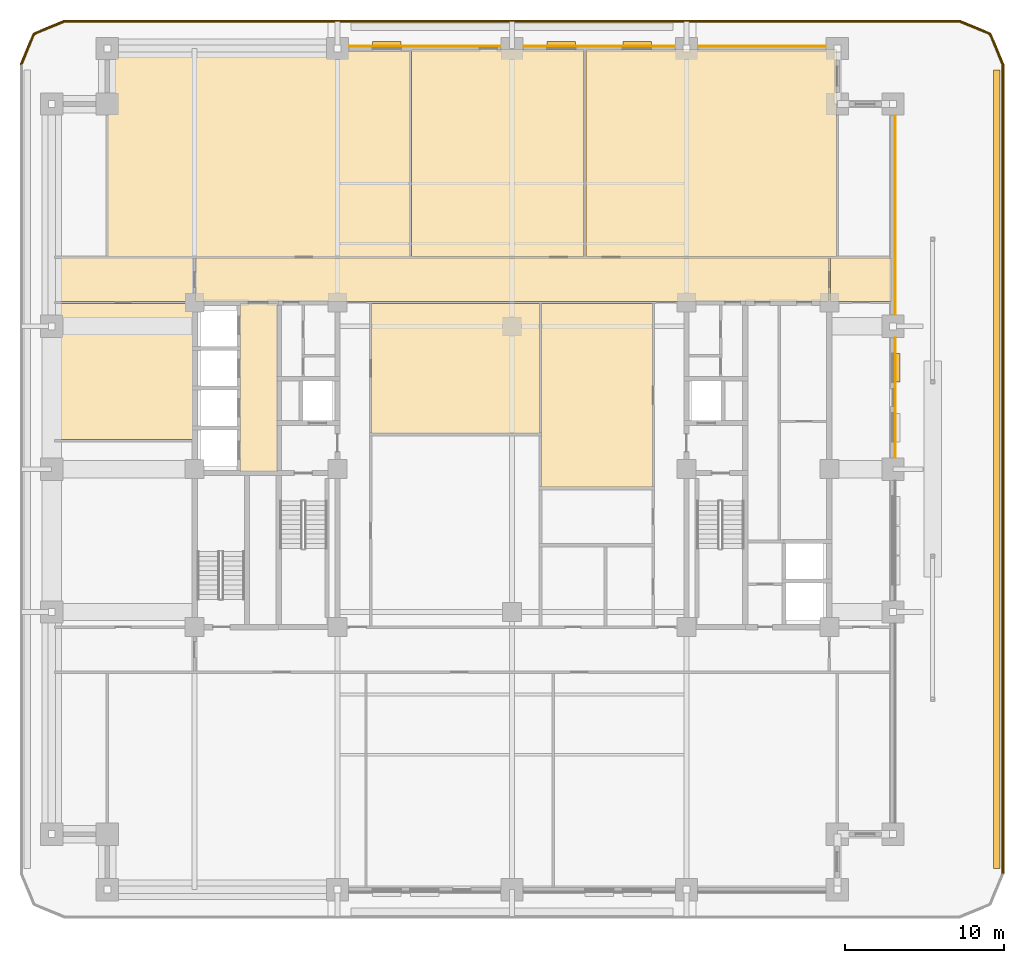
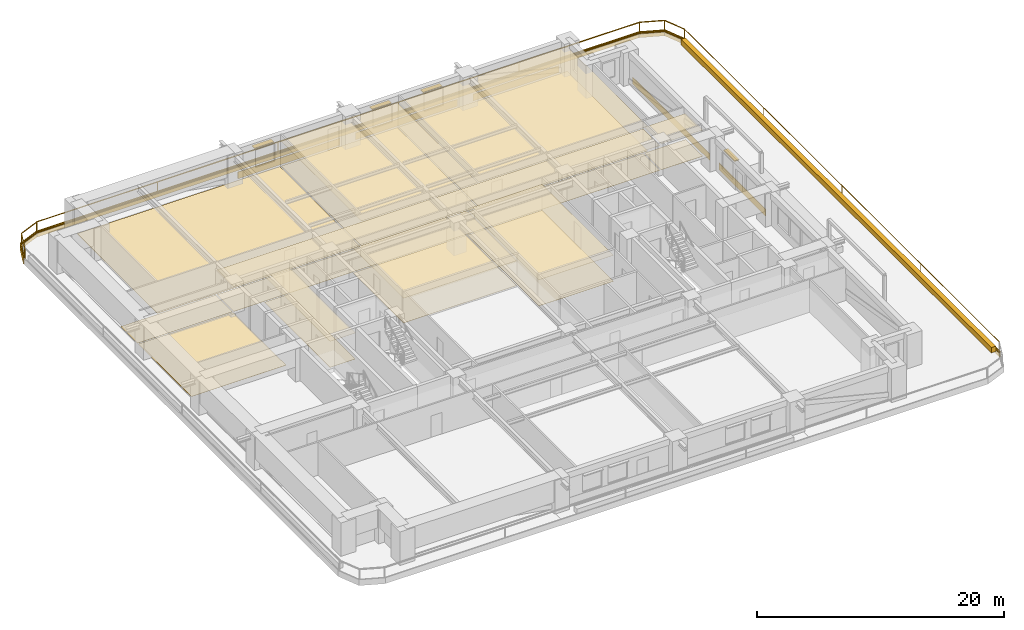
# One storey, part 18 of 18: 29 coverings, 4 shading devices, 2 railings.
"""IFC4 building model written with IfcOpenShell, lengths in metres."""

from ifc_helpers import new_model, si_unit, direction, frame, frame_2d, origin, origin_2d, place, context, subcontext, project, spatial, polyline, rectangle, outline, extrude, material, layer, layer_set, type_object, element, save


model = new_model("IFC4")

# Units and contexts
model_context = context("Model", 3, precision=1e-05, world=origin(), true_north=direction((0.0, 1.0)))
body_context = subcontext(model_context, "Body", "Model", "MODEL_VIEW")
ifc_project = project(units=[si_unit("LENGTHUNIT", "METRE"), si_unit("AREAUNIT", "SQUARE_METRE"), si_unit("VOLUMEUNIT", "CUBIC_METRE"), si_unit("PLANEANGLEUNIT", "RADIAN"), si_unit("MASSUNIT", "GRAM", prefix="KILO")], contexts=[model_context])

# Site, building, storey
site_placement = place(None, origin())
site = spatial("IfcSite", under=ifc_project, at=site_placement, CompositionType="ELEMENT")
building_placement = place(site_placement, origin())
building = spatial("IfcBuilding", under=site, at=building_placement, Name="Zulmaris Gate Convention Tower", CompositionType="ELEMENT")
storey_placement = place(building_placement, frame((0.0, 0.0, 57.18994140625)))
storey = spatial("IfcBuildingStorey", under=building, at=storey_placement, Name="L13", CompositionType="ELEMENT", Elevation=57.18994140625)

# Coverings
ifc_material_1 = material(Name="Precast concrete C40/50", Category="concrete")
ifc_layer_1 = layer(ifc_material_1, 0.0400390625, Name="Precast concrete C40/50")
ifc_layer_set_1 = layer_set([ifc_layer_1], Name="Precast concrete C40/50")
covering_type_1 = type_object("IfcCoveringType", Name="CLAD-SPANDREL-PRECAST", PredefinedType="CLADDING", material=ifc_layer_set_1)
for number, where, z_axis, x_axis, name in (
    (1, (-0.72998046875, 26.64990234375, 0.0), (0.0, 0.0, 1.0), (-1.0, 0.0, 0.0), "CLD-L13-N-1_0"),
    (2, (10.27001953125, 26.64990234375, 0.0), (0.0, 0.0, 1.0), (-1.0, 0.0, 0.0), "CLD-L13-N-2_0"),
):
    element("IfcCovering", number, at=place(storey_placement, frame(where, z_axis=z_axis, x_axis=x_axis)), inside=storey, type_object=covering_type_1, Name=name, PredefinedType="CLADDING", context=body_context, shape_type="SweptSolid", body=[
        extrude(rectangle(XDim=9.5400390625, YDim=0.0400390625, at=frame_2d((4.77001953125, 0.0))), origin(), (0.0, 0.0, 1.0), 0.679931640625),
    ])
covering_1_placement = place(storey_placement, frame((19.77001953125, 26.64990234375, 0.0), z_axis=(0.0, 0.0, 1.0), x_axis=(-1.0, 0.0, 0.0)))
element("IfcCovering", 3, at=covering_1_placement, inside=storey, type_object=covering_type_1, Name="CLD-L13-N-3_0", PredefinedType="CLADDING", context=body_context, shape_type="SweptSolid", body=[
    extrude(rectangle(XDim=8.0400390625, YDim=0.0400390625, at=frame_2d((4.02001953125, 0.0))), origin(), (0.0, 0.0, 1.0), 0.679931640625),
])
covering_2_placement = place(storey_placement, frame((24.14990234375, 0.72998046875, 0.0), z_axis=(0.0, 0.0, 1.0), x_axis=(0.0, 1.0, 0.0)))
element("IfcCovering", 4, at=covering_2_placement, inside=storey, type_object=covering_type_1, Name="CLD-L13-E-2_0", PredefinedType="CLADDING", context=body_context, shape_type="SweptSolid", body=[
    extrude(rectangle(XDim=7.5400390625, YDim=0.0400390625, at=frame_2d((3.77001953125, 0.0))), origin(), (0.0, 0.0, 1.0), 0.679931640625),
])
covering_3_placement = place(storey_placement, frame((24.14990234375, 9.72998046875, 0.0), z_axis=(0.0, 0.0, 1.0), x_axis=(0.0, 1.0, 0.0)))
element("IfcCovering", 5, at=covering_3_placement, inside=storey, type_object=covering_type_1, Name="CLD-L13-E-3_0", PredefinedType="CLADDING", context=body_context, shape_type="SweptSolid", body=[
    extrude(rectangle(XDim=12.5400390625, YDim=0.0400390625, at=frame_2d((6.27001953125, 0.0))), origin(), (0.0, 0.0, 1.0), 0.679931640625),
])
ifc_material_2 = material(Name="White Glazed Architectural Precast Concrete C40/50", Category="concrete")
ifc_layer_2 = layer(ifc_material_2, 0.080078125, Name="White Glazed Architectural Precast Concrete C40/50")
ifc_layer_set_2 = layer_set([ifc_layer_2], Name="White Glazed Architectural Precast Concrete C40/50")
covering_type_2 = type_object("IfcCoveringType", Name="CLAD-TRAY-FASCIA", PredefinedType="CLADDING", material=ifc_layer_set_2)
covering_4_placement = place(storey_placement, frame((30.9599609375, -25.5, -0.465087890625), z_axis=(0.0, 0.0, 1.0), x_axis=(0.0, 1.0, 0.0)))
element("IfcCovering", 6, at=covering_4_placement, inside=storey, type_object=covering_type_2, Name="FSC-L13-TR-05", PredefinedType="CLADDING", context=body_context, shape_type="SweptSolid", body=[
    extrude(rectangle(XDim=51.0, YDim=0.080078125, at=frame_2d((25.5, 0.0))), origin(), (0.0, 0.0, 1.0), 0.5849609375),
])
covering_5_placement = place(storey_placement, frame((30.962890625, 25.484619140625, -0.465087890625), z_axis=(0.0, 0.0, 1.0), x_axis=(-0.382656984709, 0.923890487046, 0.0)))
element("IfcCovering", 7, at=covering_5_placement, inside=storey, type_object=covering_type_2, Name="FSC-L13-TR-06", PredefinedType="CLADDING", context=body_context, shape_type="SweptSolid", body=[
    extrude(rectangle(XDim=2.14306640625, YDim=0.080078125, at=frame_2d((1.071533203125, 0.0))), origin(), (0.0, 0.0, 1.0), 0.5849609375),
])
covering_6_placement = place(storey_placement, frame((30.16455078125, 27.44287109375, -0.465087890625), z_axis=(0.0, 0.0, 1.0), x_axis=(-0.923873803533, 0.382697263049, 0.0)))
element("IfcCovering", 8, at=covering_6_placement, inside=storey, type_object=covering_type_2, Name="FSC-L13-TR-07", PredefinedType="CLADDING", context=body_context, shape_type="SweptSolid", body=[
    extrude(rectangle(XDim=2.142822265625, YDim=0.080078125, at=frame_2d((1.0712890625, 0.0))), origin(), (0.0, 0.0, 1.0), 0.5849609375),
])
covering_7_placement = place(storey_placement, frame((28.199951171875, 28.260009765625, -0.465087890625), z_axis=(0.0, 0.0, 1.0), x_axis=(-1.0, 0.0, 0.0)))
element("IfcCovering", 9, at=covering_7_placement, inside=storey, type_object=covering_type_2, Name="FSC-L13-TR-08", PredefinedType="CLADDING", context=body_context, shape_type="SweptSolid", body=[
    extrude(rectangle(XDim=56.39990234375, YDim=0.080078125, at=frame_2d((28.199951171875, 0.0))), origin(), (0.0, 0.0, 1.0), 0.5849609375),
])
covering_8_placement = place(storey_placement, frame((-28.184814453125, 28.262939453125, -0.465087890625), z_axis=(0.0, 0.0, 1.0), x_axis=(-0.923873803533, -0.382697263049, 0.0)))
element("IfcCovering", 10, at=covering_8_placement, inside=storey, type_object=covering_type_2, Name="FSC-L13-TR-09", PredefinedType="CLADDING", context=body_context, shape_type="SweptSolid", body=[
    extrude(rectangle(XDim=2.142822265625, YDim=0.080078125, at=frame_2d((1.0712890625, 0.0))), origin(), (0.0, 0.0, 1.0), 0.5849609375),
])
covering_9_placement = place(storey_placement, frame((-30.142822265625, 27.464599609375, -0.465087890625), z_axis=(0.0, 0.0, 1.0), x_axis=(-0.382656984709, -0.923890487046, 0.0)))
element("IfcCovering", 11, at=covering_9_placement, inside=storey, type_object=covering_type_2, Name="FSC-L13-TR-10", PredefinedType="CLADDING", context=body_context, shape_type="SweptSolid", body=[
    extrude(rectangle(XDim=2.14306640625, YDim=0.080078125, at=frame_2d((1.071533203125, 0.0))), origin(), (0.0, 0.0, 1.0), 0.5849609375),
])
ifc_material_3 = material(Name="Mineral Fibre Acoustic Ceiling Tile")
ifc_layer_3 = layer(ifc_material_3, 0.02001953125, Name="Mineral Fibre Acoustic Ceiling Tile")
ifc_layer_set_3 = layer_set([ifc_layer_3], Name="Mineral Fibre Acoustic Ceiling Tile")
covering_type_3 = type_object("IfcCoveringType", Name="CLG-ACOUSTIC-600", PredefinedType="CEILING", material=ifc_layer_set_3)
covering_10_placement = place(storey_placement, frame((0.0, 0.0, 2.578125)))
element("IfcCovering", 12, at=covering_10_placement, inside=storey, type_object=covering_type_3, Name="CLG-L13-R19", PredefinedType="CEILING", context=body_context, shape_type="SweptSolid", body=[
    extrude(outline(polyline([(-17.139892578125, -0.18994140625), (-14.760009765625, -0.18994140625), (-14.760009765625, 10.43994140625), (-17.139892578125, 10.43994140625), (-17.139892578125, -0.18994140625)])), origin(), (0.0, 0.0, 1.0), 0.02001953125),
])
covering_11_placement = place(storey_placement, frame((0.0, 0.0, 2.453125)))
element("IfcCovering", 13, at=covering_11_placement, inside=storey, type_object=covering_type_3, Name="CLG-L13-R34", PredefinedType="CEILING", context=body_context, shape_type="SweptSolid", body=[
    extrude(outline(polyline([(-19.93994140625, 10.56005859375), (19.93994140625, 10.56005859375), (19.93994140625, 13.2900390625), (-19.93994140625, 13.2900390625), (-19.93994140625, 10.56005859375)])), origin(), (0.0, 0.0, 1.0), 0.02001953125),
])
covering_12_placement = place(storey_placement, frame((0.0, 0.0, 2.453125)))
element("IfcCovering", 14, at=covering_12_placement, inside=storey, type_object=covering_type_3, Name="CLG-L13-R39", PredefinedType="CEILING", context=body_context, shape_type="SweptSolid", body=[
    extrude(outline(polyline([(-6.340087890625, 13.409912109375), (4.5400390625, 13.409912109375), (4.5400390625, 26.43994140625), (-6.340087890625, 26.43994140625), (-6.340087890625, 13.409912109375)])), origin(), (0.0, 0.0, 1.0), 0.02001953125),
])
covering_13_placement = place(storey_placement, frame((0.0, 0.0, 2.453125)))
element("IfcCovering", 15, at=covering_13_placement, inside=storey, type_object=covering_type_3, Name="CLG-L13-R40", PredefinedType="CEILING", context=body_context, shape_type="SweptSolid", body=[
    extrude(outline(polyline([(4.659912109375, 13.409912109375), (20.43994140625, 13.409912109375), (20.43994140625, 26.43994140625), (4.659912109375, 26.43994140625), (4.659912109375, 13.409912109375)])), origin(), (0.0, 0.0, 1.0), 0.02001953125),
])
covering_14_placement = place(storey_placement, frame((0.0, 0.0, 2.453125)))
element("IfcCovering", 16, at=covering_14_placement, inside=storey, type_object=covering_type_3, Name="CLG-L13-R44", PredefinedType="CEILING", context=body_context, shape_type="SweptSolid", body=[
    extrude(outline(polyline([(-8.840087890625, 2.260009765625), (1.739990234375, 2.260009765625), (1.739990234375, 10.43994140625), (-8.840087890625, 10.43994140625), (-8.840087890625, 2.260009765625)])), origin(), (0.0, 0.0, 1.0), 0.02001953125),
])
covering_15_placement = place(storey_placement, frame((0.0, 0.0, 2.578125)))
element("IfcCovering", 17, at=covering_15_placement, inside=storey, type_object=covering_type_3, Name="CLG-L13-R46", PredefinedType="CEILING", context=body_context, shape_type="SweptSolid", body=[
    extrude(outline(polyline([(1.860107421875, -1.139892578125), (8.840087890625, -1.139892578125), (8.840087890625, 10.43994140625), (1.860107421875, 10.43994140625), (1.860107421875, -1.139892578125)])), origin(), (0.0, 0.0, 1.0), 0.02001953125),
])
covering_16_placement = place(storey_placement, frame((0.0, 0.0, 2.578125)))
element("IfcCovering", 18, at=covering_16_placement, inside=storey, type_object=covering_type_3, Name="CLG-L13-R54", PredefinedType="CEILING", context=body_context, shape_type="SweptSolid", body=[
    extrude(outline(polyline([(20.06005859375, 10.56005859375), (23.93994140625, 10.56005859375), (23.93994140625, 13.2900390625), (20.06005859375, 13.2900390625), (20.06005859375, 10.56005859375)])), origin(), (0.0, 0.0, 1.0), 0.02001953125),
])
ifc_material_4 = material(Name="Woven Acoustic Wool Carpet Tile")
ifc_layer_4 = layer(ifc_material_4, 0.02001953125, Name="Woven Acoustic Wool Carpet Tile")
ifc_layer_set_4 = layer_set([ifc_layer_4], Name="Woven Acoustic Wool Carpet Tile")
covering_type_4 = type_object("IfcCoveringType", Name="FLR-CARPET-12", PredefinedType="FLOORING", material=ifc_layer_set_4)
covering_17_placement = place(storey_placement, origin())
element("IfcCovering", 19, at=covering_17_placement, inside=storey, type_object=covering_type_4, Name="FLR-L13-R19", PredefinedType="FLOORING", context=body_context, shape_type="SweptSolid", body=[
    extrude(outline(polyline([(-17.139892578125, -0.18994140625), (-14.760009765625, -0.18994140625), (-14.760009765625, 10.43994140625), (-17.139892578125, 10.43994140625), (-17.139892578125, -0.18994140625)])), origin(), (0.0, 0.0, 1.0), 0.02001953125),
])
covering_18_placement = place(storey_placement, origin())
element("IfcCovering", 20, at=covering_18_placement, inside=storey, type_object=covering_type_4, Name="FLR-L13-R34", PredefinedType="FLOORING", context=body_context, shape_type="SweptSolid", body=[
    extrude(outline(polyline([(-19.93994140625, 10.56005859375), (19.93994140625, 10.56005859375), (19.93994140625, 13.2900390625), (-19.93994140625, 13.2900390625), (-19.93994140625, 10.56005859375)])), origin(), (0.0, 0.0, 1.0), 0.02001953125),
])
covering_19_placement = place(storey_placement, origin())
element("IfcCovering", 21, at=covering_19_placement, inside=storey, type_object=covering_type_4, Name="FLR-L13-R38", PredefinedType="FLOORING", context=body_context, shape_type="SweptSolid", body=[
    extrude(outline(polyline([(-25.43994140625, 13.409912109375), (-6.4599609375, 13.409912109375), (-6.4599609375, 26.43994140625), (-25.43994140625, 26.43994140625), (-25.43994140625, 13.409912109375)])), origin(), (0.0, 0.0, 1.0), 0.02001953125),
])
covering_20_placement = place(storey_placement, origin())
element("IfcCovering", 22, at=covering_20_placement, inside=storey, type_object=covering_type_4, Name="FLR-L13-R39", PredefinedType="FLOORING", context=body_context, shape_type="SweptSolid", body=[
    extrude(outline(polyline([(-6.340087890625, 13.409912109375), (4.5400390625, 13.409912109375), (4.5400390625, 26.43994140625), (-6.340087890625, 26.43994140625), (-6.340087890625, 13.409912109375)])), origin(), (0.0, 0.0, 1.0), 0.02001953125),
])
covering_21_placement = place(storey_placement, origin())
element("IfcCovering", 23, at=covering_21_placement, inside=storey, type_object=covering_type_4, Name="FLR-L13-R40", PredefinedType="FLOORING", context=body_context, shape_type="SweptSolid", body=[
    extrude(outline(polyline([(4.659912109375, 13.409912109375), (20.43994140625, 13.409912109375), (20.43994140625, 26.43994140625), (4.659912109375, 26.43994140625), (4.659912109375, 13.409912109375)])), origin(), (0.0, 0.0, 1.0), 0.02001953125),
])
covering_22_placement = place(storey_placement, origin())
element("IfcCovering", 24, at=covering_22_placement, inside=storey, type_object=covering_type_4, Name="FLR-L13-R46", PredefinedType="FLOORING", context=body_context, shape_type="SweptSolid", body=[
    extrude(outline(polyline([(1.860107421875, -1.139892578125), (8.840087890625, -1.139892578125), (8.840087890625, 10.43994140625), (1.860107421875, 10.43994140625), (1.860107421875, -1.139892578125)])), origin(), (0.0, 0.0, 1.0), 0.02001953125),
])
covering_23_placement = place(storey_placement, origin())
element("IfcCovering", 25, at=covering_23_placement, inside=storey, type_object=covering_type_4, Name="FLR-L13-R50", PredefinedType="FLOORING", context=body_context, shape_type="SweptSolid", body=[
    extrude(outline(polyline([(-28.93994140625, 10.56005859375), (-20.06005859375, 10.56005859375), (-20.06005859375, 13.2900390625), (-28.93994140625, 13.2900390625), (-28.93994140625, 10.56005859375)])), origin(), (0.0, 0.0, 1.0), 0.02001953125),
])
covering_24_placement = place(storey_placement, origin())
element("IfcCovering", 26, at=covering_24_placement, inside=storey, type_object=covering_type_4, Name="FLR-L13-R52", PredefinedType="FLOORING", context=body_context, shape_type="SweptSolid", body=[
    extrude(outline(polyline([(-28.93994140625, 1.860107421875), (-20.06005859375, 1.860107421875), (-20.06005859375, 10.43994140625), (-28.93994140625, 10.43994140625), (-28.93994140625, 1.860107421875)])), origin(), (0.0, 0.0, 1.0), 0.02001953125),
])
covering_25_placement = place(storey_placement, origin())
element("IfcCovering", 27, at=covering_25_placement, inside=storey, type_object=covering_type_4, Name="FLR-L13-R54", PredefinedType="FLOORING", context=body_context, shape_type="SweptSolid", body=[
    extrude(outline(polyline([(20.06005859375, 10.56005859375), (23.93994140625, 10.56005859375), (23.93994140625, 13.2900390625), (20.06005859375, 13.2900390625), (20.06005859375, 10.56005859375)])), origin(), (0.0, 0.0, 1.0), 0.02001953125),
])
ifc_material_5 = material(Name="Engineered Teak Parquet Flooring")
ifc_layer_5 = layer(ifc_material_5, 0.02001953125, Name="Engineered Teak Parquet Flooring")
ifc_layer_set_5 = layer_set([ifc_layer_5], Name="Engineered Teak Parquet Flooring")
covering_type_5 = type_object("IfcCoveringType", Name="FLR-TIMBER-18", PredefinedType="FLOORING", material=ifc_layer_set_5)
covering_26_placement = place(storey_placement, origin())
element("IfcCovering", 28, at=covering_26_placement, inside=storey, type_object=covering_type_5, Name="FLR-L13-R44", PredefinedType="FLOORING", context=body_context, shape_type="SweptSolid", body=[
    extrude(outline(polyline([(-8.840087890625, 2.260009765625), (1.739990234375, 2.260009765625), (1.739990234375, 10.43994140625), (-8.840087890625, 10.43994140625), (-8.840087890625, 2.260009765625)])), origin(), (0.0, 0.0, 1.0), 0.02001953125),
])
ifc_material_6 = material(Name="Botanical Green Glazed Precast Concrete C40/50", Category="concrete")
ifc_layer_6 = layer(ifc_material_6, 0.419921875, Name="Botanical Green Glazed Precast Concrete C40/50")
ifc_layer_set_6 = layer_set([ifc_layer_6], Name="Botanical Green Glazed Precast Concrete C40/50")
covering_type_6 = type_object("IfcCoveringType", Name="PLANTER-BOX-200", PredefinedType="CLADDING", material=ifc_layer_set_6)
covering_27_placement = place(storey_placement, frame((0.0, 0.0, -0.0400390625)))
element("IfcCovering", 29, at=covering_27_placement, inside=storey, type_object=covering_type_6, Name="L13 E Full-Length Balcony Tree Planter Trough", PredefinedType="CLADDING", context=body_context, shape_type="SweptSolid", body=[
    extrude(outline(polyline([(30.340087890625, -25.14990234375), (30.760009765625, -25.14990234375), (30.760009765625, 25.14990234375), (30.340087890625, 25.14990234375), (30.340087890625, -25.14990234375)])), origin(), (0.0, 0.0, 1.0), 0.52001953125),
])

# Railings
ifc_material_7 = material(Name="Laminated Glass and Stainless Steel", Category="steel")
railing_type = type_object("IfcRailingType", Name="RL-BALC-1150", PredefinedType="BALUSTRADE", material=ifc_material_7)
railing_1_placement = place(storey_placement, frame((30.8798828125, -25.5, -0.0400390625)))
element("IfcRailing", 30, at=railing_1_placement, inside=storey, type_object=railing_type, Name="RL-L13-BALC-E", PredefinedType="BALUSTRADE", context=body_context, shape_type="SweptSolid", body=[
    extrude(rectangle(XDim=0.048095703125, YDim=0.048095703125, at=origin_2d()), frame((0.0, 0.0, 1.1259765625), z_axis=(0.0, 1.0, 0.0), x_axis=(-1.0, 0.0, 0.0)), (0.0, 0.0, 1.0), 51.0),
    extrude(rectangle(XDim=0.048095703125, YDim=0.048095703125, at=origin_2d()), frame((0.0, 0.0, 0.02392578125), z_axis=(0.0, 1.0, 0.0), x_axis=(-1.0, 0.0, 0.0)), (0.0, 0.0, 1.0), 51.0),
    extrude(rectangle(XDim=0.0419921875, YDim=0.0419921875, at=origin_2d()), origin(), (0.0, 0.0, 1.0), 1.101806640625),
    extrude(rectangle(XDim=0.0419921875, YDim=0.0419921875, at=origin_2d()), frame((0.0, 12.75, 0.0)), (0.0, 0.0, 1.0), 1.101806640625),
    extrude(rectangle(XDim=0.0419921875, YDim=0.0419921875, at=origin_2d()), frame((0.0, 25.5, 0.0)), (0.0, 0.0, 1.0), 1.101806640625),
    extrude(rectangle(XDim=0.0419921875, YDim=0.0419921875, at=origin_2d()), frame((0.0, 38.25, 0.0)), (0.0, 0.0, 1.0), 1.101806640625),
    extrude(rectangle(XDim=0.0419921875, YDim=0.0419921875, at=origin_2d()), frame((0.0, 51.0, 0.0)), (0.0, 0.0, 1.0), 1.101806640625),
])
railing_2_placement = place(storey_placement, frame((30.8798828125, 25.5, -0.0400390625)))
element("IfcRailing", 31, at=railing_2_placement, inside=storey, type_object=railing_type, Name="RL-L13-BALC-N", PredefinedType="BALUSTRADE", context=body_context, shape_type="SweptSolid", body=[
    extrude(rectangle(XDim=0.048095703125, YDim=0.048095703125, at=origin_2d()), frame((0.0, 0.0, 1.1259765625), z_axis=(-0.382670664694, 0.92388482095, 0.0), x_axis=(-0.92388482095, -0.382670664694, 0.0)), (0.0, 0.0, 1.0), 2.051025390625),
    extrude(rectangle(XDim=0.048095703125, YDim=0.048095703125, at=origin_2d()), frame((0.0, 0.0, 0.02392578125), z_axis=(-0.382670664694, 0.92388482095, 0.0), x_axis=(-0.92388482095, -0.382670664694, 0.0)), (0.0, 0.0, 1.0), 2.051025390625),
    extrude(rectangle(XDim=0.048095703125, YDim=0.048095703125, at=origin_2d()), frame((-0.784912109375, 1.89501953125, 1.1259765625), z_axis=(-0.92388482095, 0.382670664694, 0.0), x_axis=(-0.382670664694, -0.92388482095, 0.0)), (0.0, 0.0, 1.0), 2.051025390625),
    extrude(rectangle(XDim=0.048095703125, YDim=0.048095703125, at=origin_2d()), frame((-0.784912109375, 1.89501953125, 0.02392578125), z_axis=(-0.92388482095, 0.382670664694, 0.0), x_axis=(-0.382670664694, -0.92388482095, 0.0)), (0.0, 0.0, 1.0), 2.051025390625),
    extrude(rectangle(XDim=0.048095703125, YDim=0.048095703125, at=origin_2d()), frame((-2.679931640625, 2.679931640625, 1.1259765625), z_axis=(-1.0, 0.0, 0.0), x_axis=(0.0, -1.0, 0.0)), (0.0, 0.0, 1.0), 56.39990234375),
    extrude(rectangle(XDim=0.048095703125, YDim=0.048095703125, at=origin_2d()), frame((-2.679931640625, 2.679931640625, 0.02392578125), z_axis=(-1.0, 0.0, 0.0), x_axis=(0.0, -1.0, 0.0)), (0.0, 0.0, 1.0), 56.39990234375),
    extrude(rectangle(XDim=0.048095703125, YDim=0.048095703125, at=origin_2d()), frame((-59.079833984375, 2.679931640625, 1.1259765625), z_axis=(-0.92388482095, -0.382670664694, 0.0), x_axis=(0.382670664694, -0.92388482095, 0.0)), (0.0, 0.0, 1.0), 2.051025390625),
    extrude(rectangle(XDim=0.048095703125, YDim=0.048095703125, at=origin_2d()), frame((-59.079833984375, 2.679931640625, 0.02392578125), z_axis=(-0.92388482095, -0.382670664694, 0.0), x_axis=(0.382670664694, -0.92388482095, 0.0)), (0.0, 0.0, 1.0), 2.051025390625),
    extrude(rectangle(XDim=0.048095703125, YDim=0.048095703125, at=origin_2d()), frame((-60.974853515625, 1.89501953125, 1.1259765625), z_axis=(-0.382670664694, -0.92388482095, 0.0), x_axis=(0.92388482095, -0.382670664694, 0.0)), (0.0, 0.0, 1.0), 2.051025390625),
    extrude(rectangle(XDim=0.048095703125, YDim=0.048095703125, at=origin_2d()), frame((-60.974853515625, 1.89501953125, 0.02392578125), z_axis=(-0.382670664694, -0.92388482095, 0.0), x_axis=(0.92388482095, -0.382670664694, 0.0)), (0.0, 0.0, 1.0), 2.051025390625),
    extrude(rectangle(XDim=0.0419921875, YDim=0.0419921875, at=origin_2d()), origin(), (0.0, 0.0, 1.0), 1.101806640625),
    extrude(rectangle(XDim=0.0419921875, YDim=0.0419921875, at=origin_2d()), frame((-0.784912109375, 1.89501953125, 0.0)), (0.0, 0.0, 1.0), 1.101806640625),
    extrude(rectangle(XDim=0.0419921875, YDim=0.0419921875, at=origin_2d()), frame((-2.679931640625, 2.679931640625, 0.0)), (0.0, 0.0, 1.0), 1.101806640625),
    extrude(rectangle(XDim=0.0419921875, YDim=0.0419921875, at=origin_2d()), frame((-13.9599609375, 2.679931640625, 0.0)), (0.0, 0.0, 1.0), 1.101806640625),
    extrude(rectangle(XDim=0.0419921875, YDim=0.0419921875, at=origin_2d()), frame((-25.239990234375, 2.679931640625, 0.0)), (0.0, 0.0, 1.0), 1.101806640625),
    extrude(rectangle(XDim=0.0419921875, YDim=0.0419921875, at=origin_2d()), frame((-36.519775390625, 2.679931640625, 0.0)), (0.0, 0.0, 1.0), 1.101806640625),
    extrude(rectangle(XDim=0.0419921875, YDim=0.0419921875, at=origin_2d()), frame((-47.7998046875, 2.679931640625, 0.0)), (0.0, 0.0, 1.0), 1.101806640625),
    extrude(rectangle(XDim=0.0419921875, YDim=0.0419921875, at=origin_2d()), frame((-59.079833984375, 2.679931640625, 0.0)), (0.0, 0.0, 1.0), 1.101806640625),
    extrude(rectangle(XDim=0.0419921875, YDim=0.0419921875, at=origin_2d()), frame((-60.974853515625, 1.89501953125, 0.0)), (0.0, 0.0, 1.0), 1.101806640625),
    extrude(rectangle(XDim=0.0419921875, YDim=0.0419921875, at=origin_2d()), frame((-61.759765625, 0.0, 0.0)), (0.0, 0.0, 1.0), 1.101806640625),
])

# Shading devices
ifc_material_8 = material(Name="Glazed Ceramic Terracotta", Category="masonry")
ifc_layer_7 = layer(ifc_material_8, 0.070068359375, Name="Glazed Ceramic Terracotta")
ifc_layer_set_7 = layer_set([ifc_layer_7], Name="Glazed Ceramic Terracotta")
shading_device_type = type_object("IfcShadingDeviceType", Name="SHD-SUNSHADE-TC", PredefinedType="AWNING", material=ifc_layer_set_7)
for number, where, z_axis, x_axis, name in (
    (32, (-6.985107421875, 26.719970703125, 2.530029296875), (0.0, 0.0, 1.0), (-1.0, 0.0, 0.0), "SHD-EW-L13-N-1_0-3"),
    (33, (8.784912109375, 26.719970703125, 2.530029296875), (0.0, 0.0, 1.0), (-1.0, 0.0, 0.0), "SHD-EW-L13-N-2_0-1"),
    (34, (4.014892578125, 26.719970703125, 2.530029296875), (0.0, 0.0, 1.0), (-1.0, 0.0, 0.0), "SHD-EW-L13-N-2_0-3"),
    (35, (24.219970703125, 5.485107421875, 2.530029296875), (0.0, 0.0, 1.0), (0.0, 1.0, 0.0), "SHD-EW-L13-E-2_0-3"),
):
    element("IfcShadingDevice", number, at=place(storey_placement, frame(where, z_axis=z_axis, x_axis=x_axis)), inside=storey, type_object=shading_device_type, Name=name, PredefinedType="AWNING", context=body_context, shape_type="SweptSolid", body=[
        extrude(rectangle(XDim=1.7998046875, YDim=0.43994140625, at=frame_2d((0.89990234375, 0.0))), origin(), (0.0, 0.0, 1.0), 0.06982421875),
    ])

save(model, "model.ifc")
